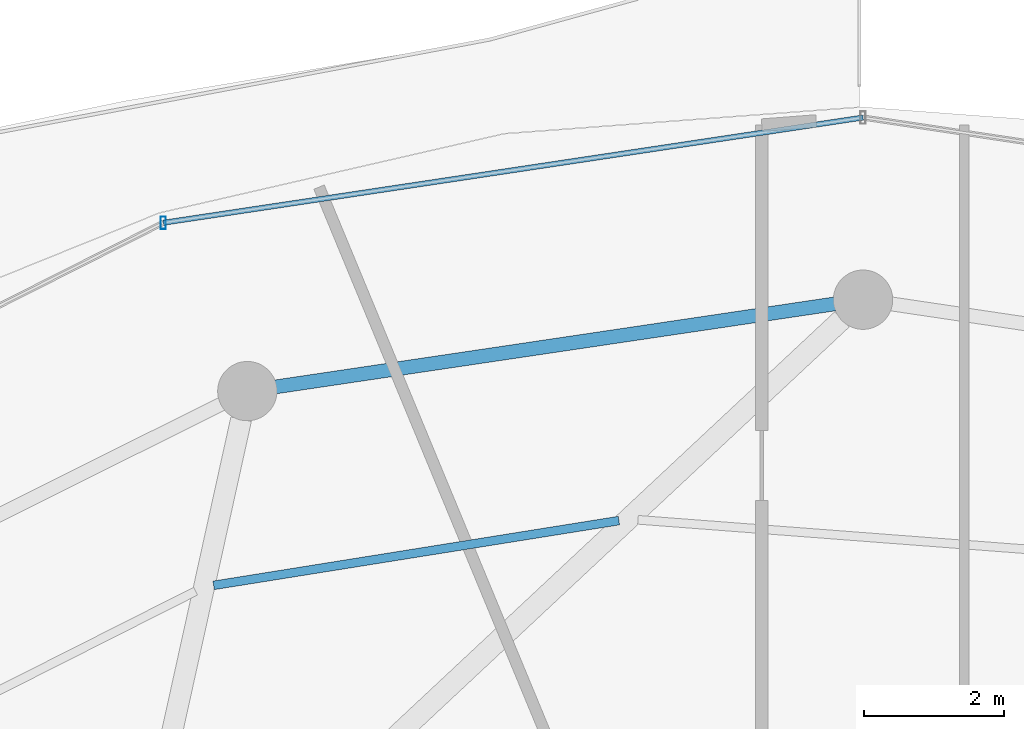
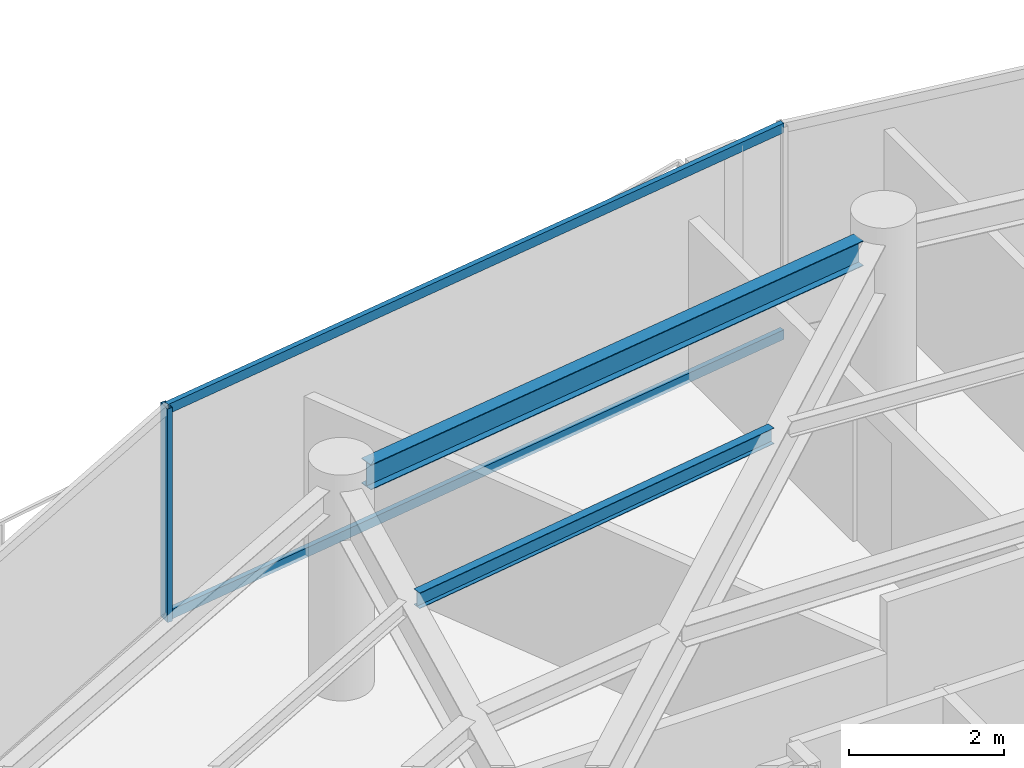
# One storey, part 16 of 30: 3 members, 2 beams, 1 element without a shape of its own.
"""IFC4 building model written with IfcOpenShell, lengths in metres."""

from ifc_helpers import new_model, si_unit, direction, frame, origin, origin_2d, place, context, subcontext, project, spatial, hollow_rectangle, i_section, extrude, material, material_profile, profile_set, type_object, element, aggregate, save


model = new_model("IFC4")

# Units and contexts
model_context = context("Model", 3, precision=1e-05, world=origin(), true_north=direction((0.0, 1.0)))
body_context = subcontext(model_context, "Body", "Model", "MODEL_VIEW")
ifc_project = project(units=[si_unit("LENGTHUNIT", "METRE"), si_unit("AREAUNIT", "SQUARE_METRE"), si_unit("VOLUMEUNIT", "CUBIC_METRE"), si_unit("PLANEANGLEUNIT", "RADIAN"), si_unit("MASSUNIT", "GRAM", prefix="KILO")], contexts=[model_context])

# Site, building, storey
site_placement = place(None, origin())
site = spatial("IfcSite", under=ifc_project, at=site_placement, CompositionType="ELEMENT")
building_placement = place(site_placement, origin())
building = spatial("IfcBuilding", under=site, at=building_placement, Name="Vorneva Point Tower", CompositionType="ELEMENT")
storey_placement = place(building_placement, frame((0.0, 0.0, 262.64990234375)))
storey = spatial("IfcBuildingStorey", under=building, at=storey_placement, Name="L71", CompositionType="ELEMENT", Elevation=262.64990234375)

# Beams
ifc_material_1 = material(Name="Steel S355", Category="steel")
ifc_material_profile_1 = material_profile(ifc_material_1, i_section(OverallWidth=0.1240234375, OverallDepth=0.248046875, WebThickness=0.0048828125, FlangeThickness=0.008056640625, at=origin_2d()), Name="25B1")
ifc_profile_set_1 = profile_set([ifc_material_profile_1], Name="Steel S355")
beam_type_1 = type_object("IfcBeamType", Name="BM-JST-25B1", PredefinedType="JOIST", material=ifc_profile_set_1)
beam_1_placement = place(storey_placement, frame((34.502197265625, 40.035400390625, 3.166015625), z_axis=(-0.987472742083, -0.157789681675, 0.0), x_axis=(0.157789681675, -0.987472742083, 0.0)))
element("IfcBeam", 1, at=beam_1_placement, inside=storey, type_object=beam_type_1, Name="L71 Secondary Floor Beam 1.05", PredefinedType="JOIST", context=body_context, shape_type="SweptSolid", body=[
    extrude(i_section(OverallWidth=0.1240234375, OverallDepth=0.248046875, WebThickness=0.0048828125, FlangeThickness=0.008056640625, at=origin_2d()), origin(), (0.0, 0.0, 1.0), 5.879638671875),
])
ifc_material_profile_2 = material_profile(ifc_material_1, i_section(OverallWidth=0.198974609375, OverallDepth=0.39599609375, WebThickness=0.007080078125, FlangeThickness=0.010986328125, at=origin_2d()), Name="40B1")
ifc_profile_set_2 = profile_set([ifc_material_profile_2], Name="Steel S355")
beam_type_2 = type_object("IfcBeamType", Name="BM-SPN-40B1", PredefinedType="SPANDREL", material=ifc_profile_set_2)
beam_2_placement = place(storey_placement, frame((37.594482421875, 43.139892578125, 3.092041015625), z_axis=(-0.989161657331, -0.146830567886, 0.0), x_axis=(0.146830567886, -0.989161657331, 0.0)))
element("IfcBeam", 2, at=beam_2_placement, inside=storey, type_object=beam_type_2, Name="L71 Perimeter Spandrel Ring Beam 05", PredefinedType="SPANDREL", context=body_context, shape_type="SweptSolid", body=[
    extrude(i_section(OverallWidth=0.198974609375, OverallDepth=0.39599609375, WebThickness=0.007080078125, FlangeThickness=0.010986328125, at=origin_2d()), origin(), (0.0, 0.0, 1.0), 8.097412109375),
])

# Curtain wall, members
ifc_material_2 = material(Name="Pale anodised aluminium", Category="aluminium")
curtain_wall_type = type_object("IfcCurtainWallType", Name="CW-RES-SYS", PredefinedType="NOTDEFINED", material=ifc_material_2)
curtain_wall_placement = place(storey_placement, origin())
curtain_wall = element("IfcCurtainWall", 3, at=curtain_wall_placement, inside=storey, type_object=curtain_wall_type, Name="L71 Unitised Curtain Wall CW-L71-R02", PredefinedType="NOTDEFINED")
ifc_material_profile_3 = material_profile(ifc_material_2, hollow_rectangle(XDim=0.074951171875, YDim=0.179931640625, WallThickness=0.00390625, at=origin_2d()), Name="AL-MUL 180x75x4")
ifc_profile_set_3 = profile_set([ifc_material_profile_3], Name="Pale anodised aluminium")
member_type_1 = type_object("IfcMemberType", Name="CW-MUL-180", PredefinedType="MULLION", material=ifc_profile_set_3)
member_1_placement = place(storey_placement, frame((27.9736328125, 44.302001953125, -0.039794921875), z_axis=(0.0, 0.0, 1.0), x_axis=(1.0, 0.0, 0.0)))
member_1 = element("IfcMember", 4, at=member_1_placement, type_object=member_type_1, Name="CW-L71-R02 Mullion 04", PredefinedType="MULLION", context=body_context, shape_type="SweptSolid", body=[
    extrude(hollow_rectangle(XDim=0.074951171875, YDim=0.179931640625, WallThickness=0.00390625, at=origin_2d()), origin(), (0.0, 0.0, 1.0), 3.35986328125),
])
ifc_material_profile_4 = material_profile(ifc_material_2, hollow_rectangle(XDim=0.074951171875, YDim=0.14990234375, WallThickness=0.00390625, at=origin_2d()), Name="AL-TRN 150x75x4")
ifc_profile_set_4 = profile_set([ifc_material_profile_4], Name="Pale anodised aluminium")
member_type_2 = type_object("IfcMemberType", Name="CW-TRN-150", PredefinedType="USERDEFINED", material=ifc_profile_set_4)
member_2_placement = place(storey_placement, frame((38.0, 45.81005859375, 0.02001953125), z_axis=(-0.988876929856, -0.148736066907, 0.0), x_axis=(0.148736066907, -0.988876929856, 0.0)))
member_2 = element("IfcMember", 5, at=member_2_placement, type_object=member_type_2, Name="CW-L71-R02 Transom 03.1", ObjectType="TRANSOM", PredefinedType="USERDEFINED", context=body_context, shape_type="SweptSolid", body=[
    extrude(hollow_rectangle(XDim=0.074951171875, YDim=0.14990234375, WallThickness=0.00390625, at=origin_2d()), origin(), (0.0, 0.0, 1.0), 10.13916015625),
])
member_3_placement = place(storey_placement, frame((38.0, 45.81005859375, 3.27001953125), z_axis=(-0.988876929856, -0.148736066907, 0.0), x_axis=(0.148736066907, -0.988876929856, 0.0)))
member_3 = element("IfcMember", 6, at=member_3_placement, type_object=member_type_2, Name="CW-L71-R02 Transom 03.2", ObjectType="TRANSOM", PredefinedType="USERDEFINED", context=body_context, shape_type="SweptSolid", body=[
    extrude(hollow_rectangle(XDim=0.074951171875, YDim=0.14990234375, WallThickness=0.00390625, at=origin_2d()), origin(), (0.0, 0.0, 1.0), 10.13916015625),
])
aggregate(curtain_wall, [member_1, member_2, member_3])

save(model, "model.ifc")
